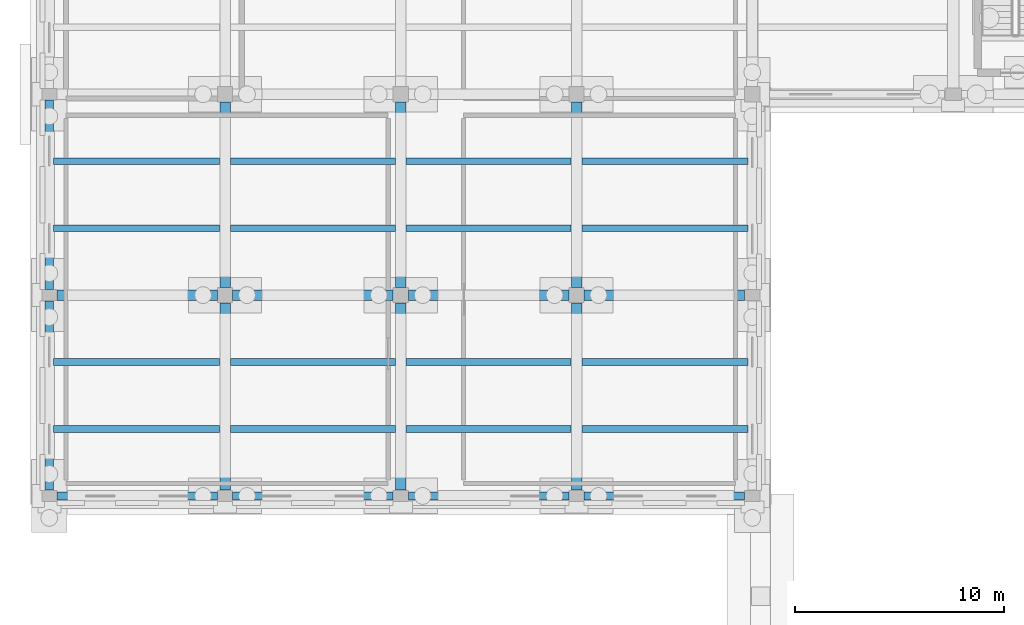
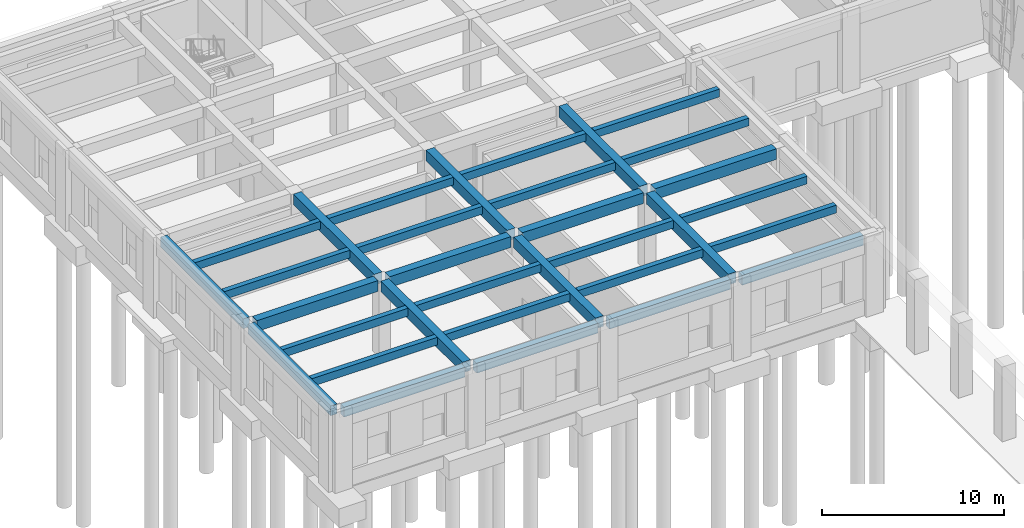
# One storey, part 13 of 51: 32 beams.
"""IFC4 building model written with IfcOpenShell, lengths in metres."""

from ifc_helpers import new_model, si_unit, direction, frame, origin, origin_2d, place, context, subcontext, project, spatial, rectangle, extrude, material, material_profile, profile_set, type_object, element, save


model = new_model("IFC4")

# Units and contexts
model_context = context("Model", 3, precision=1e-05, world=origin(), true_north=direction((0.0, 1.0)))
body_context = subcontext(model_context, "Body", "Model", "MODEL_VIEW")
ifc_project = project(units=[si_unit("LENGTHUNIT", "METRE"), si_unit("AREAUNIT", "SQUARE_METRE"), si_unit("VOLUMEUNIT", "CUBIC_METRE"), si_unit("PLANEANGLEUNIT", "RADIAN"), si_unit("MASSUNIT", "GRAM", prefix="KILO")], contexts=[model_context])

# Site, building, storey
site_placement = place(None, origin())
site = spatial("IfcSite", under=ifc_project, at=site_placement, CompositionType="ELEMENT")
building_placement = place(site_placement, origin())
building = spatial("IfcBuilding", under=site, at=building_placement, Name="Bempovik Park Faculty of Sciences", CompositionType="ELEMENT")
storey_placement = place(building_placement, origin())
storey = spatial("IfcBuildingStorey", under=building, at=storey_placement, Name="L00", CompositionType="ELEMENT", Elevation=0.0)

# Beams
ifc_material = material(Name="Concrete C35/45", Category="concrete")
ifc_material_profile_1 = material_profile(ifc_material, rectangle(XDim=0.320068359375, YDim=0.52001953125, at=origin_2d()), Name="RC 320x520")
ifc_profile_set_1 = profile_set([ifc_material_profile_1], Name="Concrete C35/45")
beam_type_1 = type_object("IfcBeamType", Name="B-028 RC 320x520", PredefinedType="JOIST", material=ifc_profile_set_1)
for number, where, z_axis, x_axis, name in (
    (1, (7.406005859375, 51.800048828125, 4.820068359375), (1.0, 0.0, 0.0), (0.0, 1.0, 0.0), "L00 Secondary Joist (7.2-15.6, y=51.80)"),
    (2, (7.406005859375, 55.0, 4.820068359375), (1.0, 0.0, 0.0), (0.0, 1.0, 0.0), "L00 Secondary Joist (7.2-15.6, y=55.00)"),
    (3, (7.406005859375, 61.39990234375, 4.820068359375), (1.0, 0.0, 0.0), (0.0, 1.0, 0.0), "L00 Secondary Joist (7.2-15.6, y=61.40)"),
    (4, (7.406005859375, 64.60009765625, 4.820068359375), (1.0, 0.0, 0.0), (0.0, 1.0, 0.0), "L00 Secondary Joist (7.2-15.6, y=64.60)"),
):
    element("IfcBeam", number, at=place(storey_placement, frame(where, z_axis=z_axis, x_axis=x_axis)), inside=storey, type_object=beam_type_1, Name=name, PredefinedType="JOIST", context=body_context, shape_type="SweptSolid", body=[
        extrude(rectangle(XDim=0.320068359375, YDim=0.52001953125, at=origin_2d()), origin(), (0.0, 0.0, 1.0), 7.93798828125),
    ])
for number, where, z_axis, x_axis, name in (
    (5, (15.85595703125, 51.800048828125, 4.820068359375), (1.0, 0.0, 0.0), (0.0, 1.0, 0.0), "L00 Secondary Joist (15.6-24.0, y=51.80)"),
    (6, (15.85595703125, 55.0, 4.820068359375), (1.0, 0.0, 0.0), (0.0, 1.0, 0.0), "L00 Secondary Joist (15.6-24.0, y=55.00)"),
    (7, (15.85595703125, 61.39990234375, 4.820068359375), (1.0, 0.0, 0.0), (0.0, 1.0, 0.0), "L00 Secondary Joist (15.6-24.0, y=61.40)"),
    (8, (15.85595703125, 64.60009765625, 4.820068359375), (1.0, 0.0, 0.0), (0.0, 1.0, 0.0), "L00 Secondary Joist (15.6-24.0, y=64.60)"),
    (9, (24.256103515625, 51.800048828125, 4.820068359375), (1.0, 0.0, 0.0), (0.0, 1.0, 0.0), "L00 Secondary Joist (24.0-32.4, y=51.80)"),
    (10, (24.256103515625, 55.0, 4.820068359375), (1.0, 0.0, 0.0), (0.0, 1.0, 0.0), "L00 Secondary Joist (24.0-32.4, y=55.00)"),
    (11, (24.256103515625, 61.39990234375, 4.820068359375), (1.0, 0.0, 0.0), (0.0, 1.0, 0.0), "L00 Secondary Joist (24.0-32.4, y=61.40)"),
    (12, (24.256103515625, 64.60009765625, 4.820068359375), (1.0, 0.0, 0.0), (0.0, 1.0, 0.0), "L00 Secondary Joist (24.0-32.4, y=64.60)"),
):
    element("IfcBeam", number, at=place(storey_placement, frame(where, z_axis=z_axis, x_axis=x_axis)), inside=storey, type_object=beam_type_1, Name=name, PredefinedType="JOIST", context=body_context, shape_type="SweptSolid", body=[
        extrude(rectangle(XDim=0.320068359375, YDim=0.52001953125, at=origin_2d()), origin(), (0.0, 0.0, 1.0), 7.887939453125),
    ])
for number, where, z_axis, x_axis, name in (
    (13, (32.656005859375, 51.800048828125, 4.820068359375), (1.0, 0.0, 0.0), (0.0, 1.0, 0.0), "L00 Secondary Joist (32.4-40.8, y=51.80)"),
    (14, (32.656005859375, 55.0, 4.820068359375), (1.0, 0.0, 0.0), (0.0, 1.0, 0.0), "L00 Secondary Joist (32.4-40.8, y=55.00)"),
    (15, (32.656005859375, 61.39990234375, 4.820068359375), (1.0, 0.0, 0.0), (0.0, 1.0, 0.0), "L00 Secondary Joist (32.4-40.8, y=61.40)"),
    (16, (32.656005859375, 64.60009765625, 4.820068359375), (1.0, 0.0, 0.0), (0.0, 1.0, 0.0), "L00 Secondary Joist (32.4-40.8, y=64.60)"),
):
    element("IfcBeam", number, at=place(storey_placement, frame(where, z_axis=z_axis, x_axis=x_axis)), inside=storey, type_object=beam_type_1, Name=name, PredefinedType="JOIST", context=body_context, shape_type="SweptSolid", body=[
        extrude(rectangle(XDim=0.320068359375, YDim=0.52001953125, at=origin_2d()), origin(), (0.0, 0.0, 1.0), 7.93798828125),
    ])
ifc_material_profile_2 = material_profile(ifc_material, rectangle(XDim=0.5, YDim=0.719970703125, at=origin_2d()), Name="RC 500x720")
ifc_profile_set_2 = profile_set([ifc_material_profile_2], Name="Concrete C35/45")
beam_type_2 = type_object("IfcBeamType", Name="B-092 RC 500x720", PredefinedType="BEAM", material=ifc_profile_set_2)
for number, where, z_axis, x_axis, name in (
    (17, (7.56591796875, 58.199951171875, 4.719970703125), (1.0, 0.0, 0.0), (0.0, 1.0, 0.0), "L00 Beam X (7.2-15.6, y=58.2)"),
    (18, (15.966064453125, 58.199951171875, 4.719970703125), (1.0, 0.0, 0.0), (0.0, 1.0, 0.0), "L00 Beam X (15.6-24.0, y=58.2)"),
    (19, (24.365966796875, 58.199951171875, 4.719970703125), (1.0, 0.0, 0.0), (0.0, 1.0, 0.0), "L00 Beam X (24.0-32.4, y=58.2)"),
    (20, (32.76611328125, 58.199951171875, 4.719970703125), (1.0, 0.0, 0.0), (0.0, 1.0, 0.0), "L00 Beam X (32.4-40.8, y=58.2)"),
):
    element("IfcBeam", number, at=place(storey_placement, frame(where, z_axis=z_axis, x_axis=x_axis)), inside=storey, type_object=beam_type_2, Name=name, PredefinedType="BEAM", context=body_context, shape_type="SweptSolid", body=[
        extrude(rectangle(XDim=0.5, YDim=0.719970703125, at=origin_2d()), origin(), (0.0, 0.0, 1.0), 7.66796875),
    ])
beam_1_placement = place(storey_placement, frame((15.60009765625, 48.8759765625, 4.719970703125), z_axis=(0.0, 1.0, 0.0), x_axis=(-1.0, 0.0, 0.0)))
element("IfcBeam", 21, at=beam_1_placement, inside=storey, type_object=beam_type_2, Name="L00 Beam Y (x=15.6, 48.6-58.2)", PredefinedType="BEAM", context=body_context, shape_type="SweptSolid", body=[
    extrude(rectangle(XDim=0.5, YDim=0.719970703125, at=origin_2d()), origin(), (0.0, 0.0, 1.0), 8.9580078125),
])
beam_2_placement = place(storey_placement, frame((15.60009765625, 58.56591796875, 4.719970703125), z_axis=(0.0, 1.0, 0.0), x_axis=(-1.0, 0.0, 0.0)))
element("IfcBeam", 22, at=beam_2_placement, inside=storey, type_object=beam_type_2, Name="L00 Beam Y (x=15.6, 58.2-67.8)", PredefinedType="BEAM", context=body_context, shape_type="SweptSolid", body=[
    extrude(rectangle(XDim=0.5, YDim=0.719970703125, at=origin_2d()), origin(), (0.0, 0.0, 1.0), 8.8681640625),
])
beam_3_placement = place(storey_placement, frame((24.0, 48.8759765625, 4.719970703125), z_axis=(0.0, 1.0, 0.0), x_axis=(-1.0, 0.0, 0.0)))
element("IfcBeam", 23, at=beam_3_placement, inside=storey, type_object=beam_type_2, Name="L00 Beam Y (x=24.0, 48.6-58.2)", PredefinedType="BEAM", context=body_context, shape_type="SweptSolid", body=[
    extrude(rectangle(XDim=0.5, YDim=0.719970703125, at=origin_2d()), origin(), (0.0, 0.0, 1.0), 8.9580078125),
])
beam_4_placement = place(storey_placement, frame((24.0, 58.56591796875, 4.719970703125), z_axis=(0.0, 1.0, 0.0), x_axis=(-1.0, 0.0, 0.0)))
element("IfcBeam", 24, at=beam_4_placement, inside=storey, type_object=beam_type_2, Name="L00 Beam Y (x=24.0, 58.2-67.8)", PredefinedType="BEAM", context=body_context, shape_type="SweptSolid", body=[
    extrude(rectangle(XDim=0.5, YDim=0.719970703125, at=origin_2d()), origin(), (0.0, 0.0, 1.0), 8.8681640625),
])
beam_5_placement = place(storey_placement, frame((32.39990234375, 48.8759765625, 4.719970703125), z_axis=(0.0, 1.0, 0.0), x_axis=(-1.0, 0.0, 0.0)))
element("IfcBeam", 25, at=beam_5_placement, inside=storey, type_object=beam_type_2, Name="L00 Beam Y (x=32.4, 48.6-58.2)", PredefinedType="BEAM", context=body_context, shape_type="SweptSolid", body=[
    extrude(rectangle(XDim=0.5, YDim=0.719970703125, at=origin_2d()), origin(), (0.0, 0.0, 1.0), 8.9580078125),
])
beam_6_placement = place(storey_placement, frame((32.39990234375, 58.56591796875, 4.719970703125), z_axis=(0.0, 1.0, 0.0), x_axis=(-1.0, 0.0, 0.0)))
element("IfcBeam", 26, at=beam_6_placement, inside=storey, type_object=beam_type_2, Name="L00 Beam Y (x=32.4, 58.2-67.8)", PredefinedType="BEAM", context=body_context, shape_type="SweptSolid", body=[
    extrude(rectangle(XDim=0.5, YDim=0.719970703125, at=origin_2d()), origin(), (0.0, 0.0, 1.0), 8.8681640625),
])
ifc_material_profile_3 = material_profile(ifc_material, rectangle(XDim=0.39990234375, YDim=0.659912109375, at=origin_2d()), Name="RC 400x660")
ifc_profile_set_3 = profile_set([ifc_material_profile_3], Name="Concrete C35/45")
beam_type_3 = type_object("IfcBeamType", Name="B-097 RC 400x660", PredefinedType="SPANDREL", material=ifc_profile_set_3)
for number, where, z_axis, x_axis, name in (
    (27, (7.56591796875, 48.60009765625, 4.75), (1.0, 0.0, 0.0), (0.0, 1.0, 0.0), "L00 Beam X (7.2-15.6, y=48.6)"),
    (28, (15.966064453125, 48.60009765625, 4.75), (1.0, 0.0, 0.0), (0.0, 1.0, 0.0), "L00 Beam X (15.6-24.0, y=48.6)"),
    (29, (24.365966796875, 48.60009765625, 4.75), (1.0, 0.0, 0.0), (0.0, 1.0, 0.0), "L00 Beam X (24.0-32.4, y=48.6)"),
    (30, (32.76611328125, 48.60009765625, 4.75), (1.0, 0.0, 0.0), (0.0, 1.0, 0.0), "L00 Beam X (32.4-40.8, y=48.6)"),
):
    element("IfcBeam", number, at=place(storey_placement, frame(where, z_axis=z_axis, x_axis=x_axis)), inside=storey, type_object=beam_type_3, Name=name, PredefinedType="SPANDREL", context=body_context, shape_type="SweptSolid", body=[
        extrude(rectangle(XDim=0.39990234375, YDim=0.659912109375, at=origin_2d()), origin(), (0.0, 0.0, 1.0), 7.66796875),
    ])
beam_7_placement = place(storey_placement, frame((7.199951171875, 48.8759765625, 4.75), z_axis=(0.0, 1.0, 0.0), x_axis=(-1.0, 0.0, 0.0)))
element("IfcBeam", 31, at=beam_7_placement, inside=storey, type_object=beam_type_3, Name="L00 Beam Y (x=7.2, 48.6-58.2)", PredefinedType="SPANDREL", context=body_context, shape_type="SweptSolid", body=[
    extrude(rectangle(XDim=0.39990234375, YDim=0.659912109375, at=origin_2d()), origin(), (0.0, 0.0, 1.0), 9.048095703125),
])
beam_8_placement = place(storey_placement, frame((7.199951171875, 58.47607421875, 4.75), z_axis=(0.0, 1.0, 0.0), x_axis=(-1.0, 0.0, 0.0)))
element("IfcBeam", 32, at=beam_8_placement, inside=storey, type_object=beam_type_3, Name="L00 Beam Y (x=7.2, 58.2-67.8)", PredefinedType="SPANDREL", context=body_context, shape_type="SweptSolid", body=[
    extrude(rectangle(XDim=0.39990234375, YDim=0.659912109375, at=origin_2d()), origin(), (0.0, 0.0, 1.0), 9.0478515625),
])

save(model, "model.ifc")
